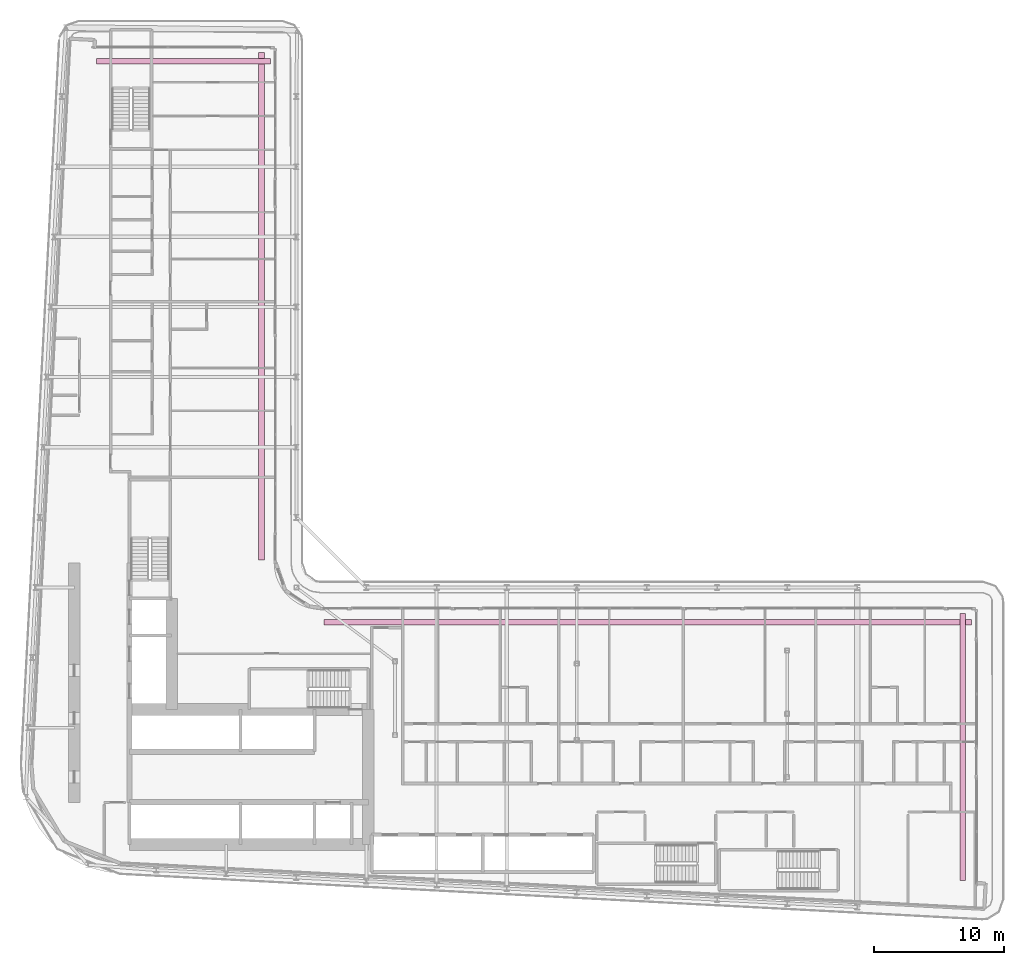
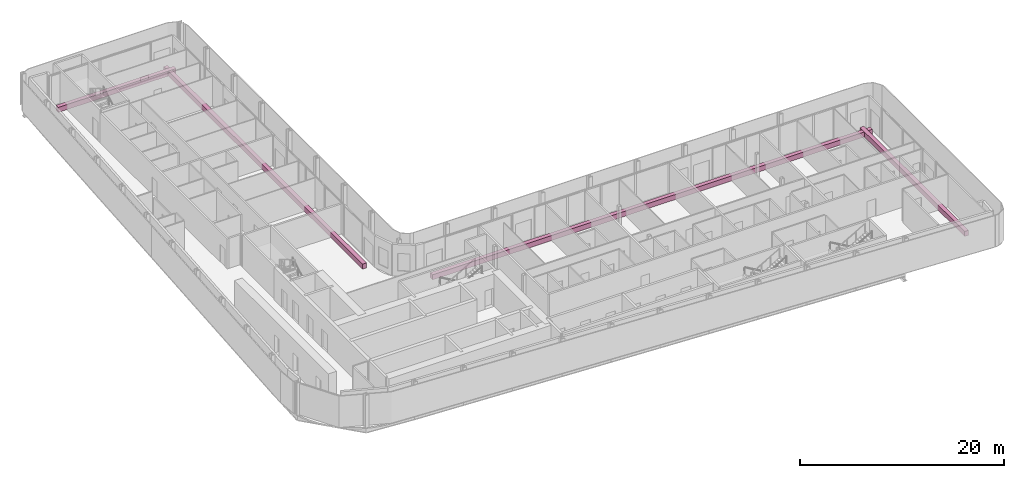
# One storey, part 27 of 27: 4 furniture elements.
"""IFC4 building model written with IfcOpenShell, lengths in metres."""

from ifc_helpers import new_model, si_unit, direction, frame, origin, origin_2d, place, context, subcontext, project, spatial, rectangle, extrude, material, type_object, element, save


model = new_model("IFC4")

# Units and contexts
model_context = context("Model", 3, precision=1e-05, world=origin(), true_north=direction((0.0, 1.0)))
body_context = subcontext(model_context, "Body", "Model", "MODEL_VIEW")
ifc_project = project(units=[si_unit("LENGTHUNIT", "METRE"), si_unit("AREAUNIT", "SQUARE_METRE"), si_unit("VOLUMEUNIT", "CUBIC_METRE"), si_unit("PLANEANGLEUNIT", "RADIAN"), si_unit("MASSUNIT", "GRAM", prefix="KILO")], contexts=[model_context])

# Site, building, storey
site_placement = place(None, origin())
site = spatial("IfcSite", under=ifc_project, at=site_placement, CompositionType="ELEMENT")
building_placement = place(site_placement, origin())
building = spatial("IfcBuilding", under=site, at=building_placement, Name="Kheshtan School and Residences Tower", CompositionType="ELEMENT")
storey_placement = place(building_placement, frame((0.0, 0.0, 101.89990234375)))
storey = spatial("IfcBuildingStorey", under=building, at=storey_placement, Name="L23", CompositionType="ELEMENT", Elevation=101.89990234375)

# Furniture
ifc_material = material(Name="Precast concrete C30/37 in terracotta finish", Category="masonry")
furniture_type = type_object("IfcFurnitureType", Name="Planter trough", AssemblyPlace="NOTDEFINED", PredefinedType="USERDEFINED", material=ifc_material)
furniture_1_placement = place(storey_placement, frame((38.912109375, 86.125, 0.0), z_axis=(0.0, 0.0, 1.0), x_axis=(1.0, 0.0, 0.0)))
element("IfcFurniture", 1, at=furniture_1_placement, inside=storey, type_object=furniture_type, Name="Planter L23", ObjectType="PLANTER", PredefinedType="USERDEFINED", context=body_context, shape_type="SweptSolid", body=[
    extrude(rectangle(XDim=13.3759765625, YDim=0.449951171875, at=origin_2d()), origin(), (0.0, 0.0, 1.0), 0.60009765625),
])
furniture_2_placement = place(storey_placement, frame((44.925048828125, 67.264892578125, 0.0), z_axis=(0.0, 0.0, 1.0), x_axis=(0.0, -1.0, 0.0)))
element("IfcFurniture", 2, at=furniture_2_placement, inside=storey, type_object=furniture_type, Name="Planter L23", ObjectType="PLANTER", PredefinedType="USERDEFINED", context=body_context, shape_type="SweptSolid", body=[
    extrude(rectangle(XDim=39.070068359375, YDim=0.449951171875, at=origin_2d()), origin(), (0.0, 0.0, 1.0), 0.60009765625),
])
furniture_3_placement = place(storey_placement, frame((74.6650390625, 42.925048828125, 0.0), z_axis=(0.0, 0.0, 1.0), x_axis=(1.0, 0.0, 0.0)))
element("IfcFurniture", 3, at=furniture_3_placement, inside=storey, type_object=furniture_type, Name="Planter L23", ObjectType="PLANTER", PredefinedType="USERDEFINED", context=body_context, shape_type="SweptSolid", body=[
    extrude(rectangle(XDim=49.8701171875, YDim=0.449951171875, at=origin_2d()), origin(), (0.0, 0.0, 1.0), 0.60009765625),
])
furniture_4_placement = place(storey_placement, frame((98.925048828125, 33.306884765625, 0.0), z_axis=(0.0, 0.0, 1.0), x_axis=(0.0, -1.0, 0.0)))
element("IfcFurniture", 4, at=furniture_4_placement, inside=storey, type_object=furniture_type, Name="Planter L23", ObjectType="PLANTER", PredefinedType="USERDEFINED", context=body_context, shape_type="SweptSolid", body=[
    extrude(rectangle(XDim=20.5859375, YDim=0.449951171875, at=origin_2d()), origin(), (0.0, 0.0, 1.0), 0.60009765625),
])

save(model, "model.ifc")
